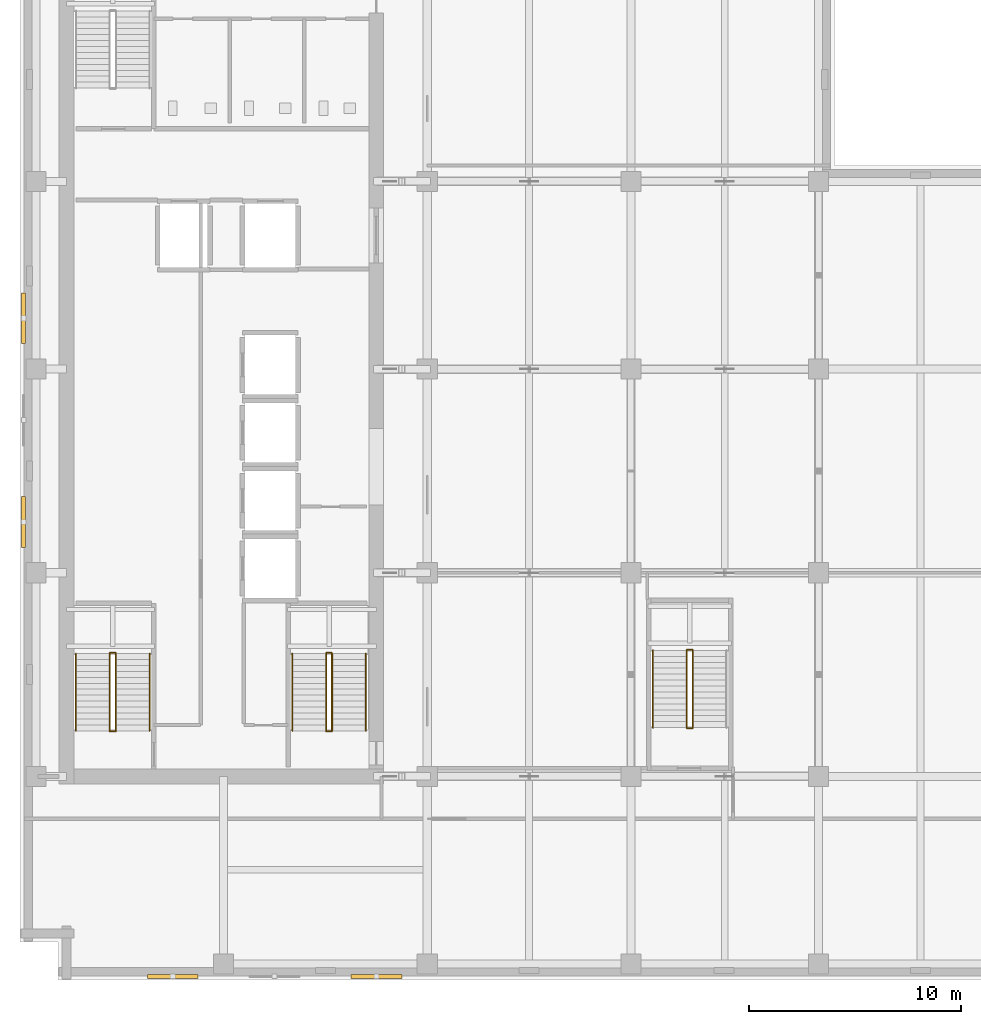
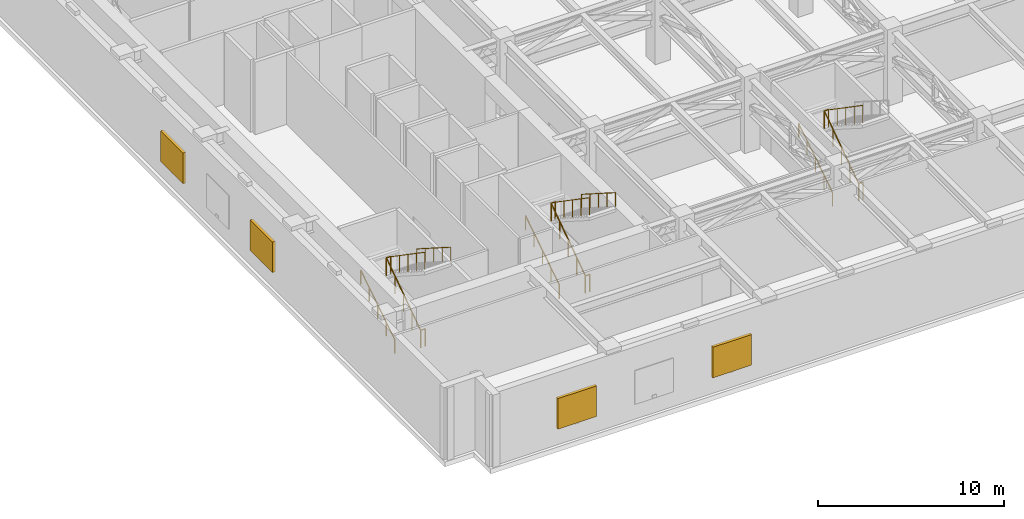
# One storey, part 18 of 21: 17 railings, 4 shading devices.
"""IFC4 building model written with IfcOpenShell, lengths in metres."""

from ifc_helpers import new_model, si_unit, direction, frame, origin, origin_2d, place, context, subcontext, project, spatial, rectangle, circle, extrude, material, layer, layer_set, type_object, element, save


model = new_model("IFC4")

# Units and contexts
model_context = context("Model", 3, precision=1e-05, world=origin(), true_north=direction((0.0, 1.0)))
body_context = subcontext(model_context, "Body", "Model", "MODEL_VIEW")
ifc_project = project(units=[si_unit("LENGTHUNIT", "METRE"), si_unit("AREAUNIT", "SQUARE_METRE"), si_unit("VOLUMEUNIT", "CUBIC_METRE"), si_unit("PLANEANGLEUNIT", "RADIAN"), si_unit("MASSUNIT", "GRAM", prefix="KILO")], contexts=[model_context])

# Site, building, storey
site_placement = place(None, origin())
site = spatial("IfcSite", under=ifc_project, at=site_placement, CompositionType="ELEMENT")
building_placement = place(site_placement, origin())
building = spatial("IfcBuilding", under=site, at=building_placement, Name="Norrvale University Quadrangle", CompositionType="ELEMENT")
storey_placement = place(building_placement, frame((0.0, 0.0, 194.0)))
storey = spatial("IfcBuildingStorey", under=building, at=storey_placement, Name="L49", CompositionType="ELEMENT", Elevation=194.0)

# Railings
ifc_material_1 = material(Name="Steel 350W Painted Balustrade", Category="steel")
railing_type_1 = type_object("IfcRailingType", Name="Railing Stair Guard 1100", PredefinedType="GUARDRAIL", material=ifc_material_1)
for number, where, name in (
    (1, (4.239990234375, 11.719970703125, 0.0), "Stair Floor Well Guard ST-01 L49"),
    (2, (4.239990234375, 15.419921875, 2.5), "Stair Mid-Landing Slot Guard ST-01 L49"),
):
    element("IfcRailing", number, at=place(storey_placement, frame(where)), inside=storey, type_object=railing_type_1, Name=name, PredefinedType="GUARDRAIL", context=body_context, shape_type="SweptSolid", body=[
        extrude(circle(Radius=0.02392578125, at=origin_2d()), frame((0.0, 0.0, 1.1259765625), z_axis=(1.0, 0.0, 0.0), x_axis=(0.0, 1.0, 0.0)), (0.0, 0.0, 1.0), 0.27001953125),
        extrude(circle(Radius=0.02099609375, at=origin_2d()), origin(), (0.0, 0.0, 1.0), 1.101806640625),
        extrude(circle(Radius=0.02099609375, at=origin_2d()), frame((0.27001953125, 0.0, 0.0)), (0.0, 0.0, 1.0), 1.101806640625),
    ])
railing_1_placement = place(storey_placement, frame((4.239990234375, 11.75, 0.0)))
element("IfcRailing", 3, at=railing_1_placement, inside=storey, type_object=railing_type_1, Name="Stair Lower Flight Inner Guard ST-01 L49", PredefinedType="GUARDRAIL", context=body_context, shape_type="SweptSolid", body=[
    extrude(circle(Radius=0.02392578125, at=origin_2d()), frame((0.0, 0.0, 1.1259765625), z_axis=(0.0, 0.824298337968, 0.566155676491), x_axis=(-1.0, 0.0, 0.0)), (0.0, 0.0, 1.0), 4.415771484375),
    extrude(circle(Radius=0.02099609375, at=origin_2d()), origin(), (0.0, 0.0, 1.0), 1.101806640625),
    extrude(circle(Radius=0.02099609375, at=origin_2d()), frame((0.0, 0.909912109375, 0.625)), (0.0, 0.0, 1.0), 1.101806640625),
    extrude(circle(Radius=0.02099609375, at=origin_2d()), frame((0.0, 1.81982421875, 1.25)), (0.0, 0.0, 1.0), 1.101806640625),
    extrude(circle(Radius=0.02099609375, at=origin_2d()), frame((0.0, 2.72998046875, 1.875)), (0.0, 0.0, 1.0), 1.101806640625),
    extrude(circle(Radius=0.02099609375, at=origin_2d()), frame((0.0, 3.639892578125, 2.5)), (0.0, 0.0, 1.0), 1.101806640625),
])
railing_2_placement = place(storey_placement, frame((4.510009765625, 15.389892578125, 2.5)))
element("IfcRailing", 4, at=railing_2_placement, inside=storey, type_object=railing_type_1, Name="Stair Upper Flight Inner Guard ST-01 L49", PredefinedType="GUARDRAIL", context=body_context, shape_type="SweptSolid", body=[
    extrude(circle(Radius=0.02392578125, at=origin_2d()), frame((0.0, 0.0, 1.1259765625), z_axis=(0.0, -0.824298337968, 0.566155676491), x_axis=(1.0, 0.0, 0.0)), (0.0, 0.0, 1.0), 4.415771484375),
    extrude(circle(Radius=0.02099609375, at=origin_2d()), origin(), (0.0, 0.0, 1.0), 1.101806640625),
    extrude(circle(Radius=0.02099609375, at=origin_2d()), frame((0.0, -0.909912109375, 0.625)), (0.0, 0.0, 1.0), 1.101806640625),
    extrude(circle(Radius=0.02099609375, at=origin_2d()), frame((0.0, -1.81982421875, 1.25)), (0.0, 0.0, 1.0), 1.101806640625),
    extrude(circle(Radius=0.02099609375, at=origin_2d()), frame((0.0, -2.72998046875, 1.875)), (0.0, 0.0, 1.0), 1.101806640625),
    extrude(circle(Radius=0.02099609375, at=origin_2d()), frame((0.0, -3.639892578125, 2.5)), (0.0, 0.0, 1.0), 1.101806640625),
])
for number, where, name in (
    (5, (14.43994140625, 11.719970703125, 0.0), "Stair Floor Well Guard ST-03 L49"),
    (6, (14.43994140625, 15.419921875, 2.5), "Stair Mid-Landing Slot Guard ST-03 L49"),
):
    element("IfcRailing", number, at=place(storey_placement, frame(where)), inside=storey, type_object=railing_type_1, Name=name, PredefinedType="GUARDRAIL", context=body_context, shape_type="SweptSolid", body=[
        extrude(circle(Radius=0.02392578125, at=origin_2d()), frame((0.0, 0.0, 1.1259765625), z_axis=(1.0, 0.0, 0.0), x_axis=(0.0, 1.0, 0.0)), (0.0, 0.0, 1.0), 0.27001953125),
        extrude(circle(Radius=0.02099609375, at=origin_2d()), origin(), (0.0, 0.0, 1.0), 1.101806640625),
        extrude(circle(Radius=0.02099609375, at=origin_2d()), frame((0.27001953125, 0.0, 0.0)), (0.0, 0.0, 1.0), 1.101806640625),
    ])
railing_3_placement = place(storey_placement, frame((14.43994140625, 11.75, 0.0)))
element("IfcRailing", 7, at=railing_3_placement, inside=storey, type_object=railing_type_1, Name="Stair Lower Flight Inner Guard ST-03 L49", PredefinedType="GUARDRAIL", context=body_context, shape_type="SweptSolid", body=[
    extrude(circle(Radius=0.02392578125, at=origin_2d()), frame((0.0, 0.0, 1.1259765625), z_axis=(0.0, 0.824298337968, 0.566155676491), x_axis=(-1.0, 0.0, 0.0)), (0.0, 0.0, 1.0), 4.415771484375),
    extrude(circle(Radius=0.02099609375, at=origin_2d()), origin(), (0.0, 0.0, 1.0), 1.101806640625),
    extrude(circle(Radius=0.02099609375, at=origin_2d()), frame((0.0, 0.909912109375, 0.625)), (0.0, 0.0, 1.0), 1.101806640625),
    extrude(circle(Radius=0.02099609375, at=origin_2d()), frame((0.0, 1.81982421875, 1.25)), (0.0, 0.0, 1.0), 1.101806640625),
    extrude(circle(Radius=0.02099609375, at=origin_2d()), frame((0.0, 2.72998046875, 1.875)), (0.0, 0.0, 1.0), 1.101806640625),
    extrude(circle(Radius=0.02099609375, at=origin_2d()), frame((0.0, 3.639892578125, 2.5)), (0.0, 0.0, 1.0), 1.101806640625),
])
railing_4_placement = place(storey_placement, frame((14.7099609375, 15.389892578125, 2.5)))
element("IfcRailing", 8, at=railing_4_placement, inside=storey, type_object=railing_type_1, Name="Stair Upper Flight Inner Guard ST-03 L49", PredefinedType="GUARDRAIL", context=body_context, shape_type="SweptSolid", body=[
    extrude(circle(Radius=0.02392578125, at=origin_2d()), frame((0.0, 0.0, 1.1259765625), z_axis=(0.0, -0.824298337968, 0.566155676491), x_axis=(1.0, 0.0, 0.0)), (0.0, 0.0, 1.0), 4.415771484375),
    extrude(circle(Radius=0.02099609375, at=origin_2d()), origin(), (0.0, 0.0, 1.0), 1.101806640625),
    extrude(circle(Radius=0.02099609375, at=origin_2d()), frame((0.0, -0.909912109375, 0.625)), (0.0, 0.0, 1.0), 1.101806640625),
    extrude(circle(Radius=0.02099609375, at=origin_2d()), frame((0.0, -1.81982421875, 1.25)), (0.0, 0.0, 1.0), 1.101806640625),
    extrude(circle(Radius=0.02099609375, at=origin_2d()), frame((0.0, -2.72998046875, 1.875)), (0.0, 0.0, 1.0), 1.101806640625),
    extrude(circle(Radius=0.02099609375, at=origin_2d()), frame((0.0, -3.639892578125, 2.5)), (0.0, 0.0, 1.0), 1.101806640625),
])
for number, where, name in (
    (9, (31.43994140625, 11.8701171875, 0.0), "Stair Floor Well Guard ST-04 L49"),
    (10, (31.43994140625, 15.570068359375, 2.5), "Stair Mid-Landing Slot Guard ST-04 L49"),
):
    element("IfcRailing", number, at=place(storey_placement, frame(where)), inside=storey, type_object=railing_type_1, Name=name, PredefinedType="GUARDRAIL", context=body_context, shape_type="SweptSolid", body=[
        extrude(circle(Radius=0.02392578125, at=origin_2d()), frame((0.0, 0.0, 1.1259765625), z_axis=(1.0, 0.0, 0.0), x_axis=(0.0, 1.0, 0.0)), (0.0, 0.0, 1.0), 0.27001953125),
        extrude(circle(Radius=0.02099609375, at=origin_2d()), origin(), (0.0, 0.0, 1.0), 1.101806640625),
        extrude(circle(Radius=0.02099609375, at=origin_2d()), frame((0.27001953125, 0.0, 0.0)), (0.0, 0.0, 1.0), 1.101806640625),
    ])
railing_5_placement = place(storey_placement, frame((31.43994140625, 11.89990234375, 0.0)))
element("IfcRailing", 11, at=railing_5_placement, inside=storey, type_object=railing_type_1, Name="Stair Lower Flight Inner Guard ST-04 L49", PredefinedType="GUARDRAIL", context=body_context, shape_type="SweptSolid", body=[
    extrude(circle(Radius=0.02392578125, at=origin_2d()), frame((0.0, 0.0, 1.1259765625), z_axis=(0.0, 0.824316058549, 0.566129875221), x_axis=(-1.0, 0.0, 0.0)), (0.0, 0.0, 1.0), 4.416015625),
    extrude(circle(Radius=0.02099609375, at=origin_2d()), origin(), (0.0, 0.0, 1.0), 1.101806640625),
    extrude(circle(Radius=0.02099609375, at=origin_2d()), frame((0.0, 0.91015625, 0.625)), (0.0, 0.0, 1.0), 1.101806640625),
    extrude(circle(Radius=0.02099609375, at=origin_2d()), frame((0.0, 1.820068359375, 1.25)), (0.0, 0.0, 1.0), 1.101806640625),
    extrude(circle(Radius=0.02099609375, at=origin_2d()), frame((0.0, 2.72998046875, 1.875)), (0.0, 0.0, 1.0), 1.101806640625),
    extrude(circle(Radius=0.02099609375, at=origin_2d()), frame((0.0, 3.64013671875, 2.5)), (0.0, 0.0, 1.0), 1.101806640625),
])
railing_6_placement = place(storey_placement, frame((31.7099609375, 15.5400390625, 2.5)))
element("IfcRailing", 12, at=railing_6_placement, inside=storey, type_object=railing_type_1, Name="Stair Upper Flight Inner Guard ST-04 L49", PredefinedType="GUARDRAIL", context=body_context, shape_type="SweptSolid", body=[
    extrude(circle(Radius=0.02392578125, at=origin_2d()), frame((0.0, 0.0, 1.1259765625), z_axis=(0.0, -0.824316058549, 0.566129875221), x_axis=(1.0, 0.0, 0.0)), (0.0, 0.0, 1.0), 4.416015625),
    extrude(circle(Radius=0.02099609375, at=origin_2d()), origin(), (0.0, 0.0, 1.0), 1.101806640625),
    extrude(circle(Radius=0.02099609375, at=origin_2d()), frame((0.0, -0.91015625, 0.625)), (0.0, 0.0, 1.0), 1.101806640625),
    extrude(circle(Radius=0.02099609375, at=origin_2d()), frame((0.0, -1.820068359375, 1.25)), (0.0, 0.0, 1.0), 1.101806640625),
    extrude(circle(Radius=0.02099609375, at=origin_2d()), frame((0.0, -2.72998046875, 1.875)), (0.0, 0.0, 1.0), 1.101806640625),
    extrude(circle(Radius=0.02099609375, at=origin_2d()), frame((0.0, -3.64013671875, 2.5)), (0.0, 0.0, 1.0), 1.101806640625),
])
ifc_material_2 = material(Name="Stainless Steel 316L Handrail", Category="steel")
railing_type_2 = type_object("IfcRailingType", Name="Railing Stair Handrail 920", PredefinedType="HANDRAIL", material=ifc_material_2)
railing_7_placement = place(storey_placement, frame((2.639892578125, 11.75, 0.1787109375)))
element("IfcRailing", 13, at=railing_7_placement, inside=storey, type_object=railing_type_2, Name="Stair Lower Flight Handrail ST-01 L49", PredefinedType="HANDRAIL", context=body_context, shape_type="SweptSolid", body=[
    extrude(circle(Radius=0.02392578125, at=origin_2d()), frame((0.0, 0.0, 0.89599609375), z_axis=(0.0, 0.843137146238, 0.537698570422), x_axis=(-1.0, 0.0, 0.0)), (0.0, 0.0, 1.0), 4.317138671875),
    extrude(circle(Radius=0.02099609375, at=origin_2d()), origin(), (0.0, 0.0, 1.0), 0.871826171875),
    extrude(circle(Radius=0.02099609375, at=origin_2d()), frame((0.0, 0.909912109375, 0.580322265625)), (0.0, 0.0, 1.0), 0.871826171875),
    extrude(circle(Radius=0.02099609375, at=origin_2d()), frame((0.0, 1.81982421875, 1.16064453125)), (0.0, 0.0, 1.0), 0.871826171875),
    extrude(circle(Radius=0.02099609375, at=origin_2d()), frame((0.0, 2.72998046875, 1.740966796875)), (0.0, 0.0, 1.0), 0.871826171875),
    extrude(circle(Radius=0.02099609375, at=origin_2d()), frame((0.0, 3.639892578125, 2.3212890625)), (0.0, 0.0, 1.0), 0.871826171875),
])
railing_8_placement = place(storey_placement, frame((6.110107421875, 15.389892578125, 2.6787109375)))
element("IfcRailing", 14, at=railing_8_placement, inside=storey, type_object=railing_type_2, Name="Stair Upper Flight Handrail ST-01 L49", PredefinedType="HANDRAIL", context=body_context, shape_type="SweptSolid", body=[
    extrude(circle(Radius=0.02392578125, at=origin_2d()), frame((0.0, 0.0, 0.89599609375), z_axis=(0.0, -0.843137146238, 0.537698570422), x_axis=(1.0, 0.0, 0.0)), (0.0, 0.0, 1.0), 4.317138671875),
    extrude(circle(Radius=0.02099609375, at=origin_2d()), origin(), (0.0, 0.0, 1.0), 0.871826171875),
    extrude(circle(Radius=0.02099609375, at=origin_2d()), frame((0.0, -0.909912109375, 0.580322265625)), (0.0, 0.0, 1.0), 0.871826171875),
    extrude(circle(Radius=0.02099609375, at=origin_2d()), frame((0.0, -1.81982421875, 1.16064453125)), (0.0, 0.0, 1.0), 0.871826171875),
    extrude(circle(Radius=0.02099609375, at=origin_2d()), frame((0.0, -2.72998046875, 1.740966796875)), (0.0, 0.0, 1.0), 0.871826171875),
    extrude(circle(Radius=0.02099609375, at=origin_2d()), frame((0.0, -3.639892578125, 2.3212890625)), (0.0, 0.0, 1.0), 0.871826171875),
])
railing_9_placement = place(storey_placement, frame((12.840087890625, 11.75, 0.1787109375)))
element("IfcRailing", 15, at=railing_9_placement, inside=storey, type_object=railing_type_2, Name="Stair Lower Flight Handrail ST-03 L49", PredefinedType="HANDRAIL", context=body_context, shape_type="SweptSolid", body=[
    extrude(circle(Radius=0.02392578125, at=origin_2d()), frame((0.0, 0.0, 0.89599609375), z_axis=(0.0, 0.843137146238, 0.537698570422), x_axis=(-1.0, 0.0, 0.0)), (0.0, 0.0, 1.0), 4.317138671875),
    extrude(circle(Radius=0.02099609375, at=origin_2d()), origin(), (0.0, 0.0, 1.0), 0.871826171875),
    extrude(circle(Radius=0.02099609375, at=origin_2d()), frame((0.0, 0.909912109375, 0.580322265625)), (0.0, 0.0, 1.0), 0.871826171875),
    extrude(circle(Radius=0.02099609375, at=origin_2d()), frame((0.0, 1.81982421875, 1.16064453125)), (0.0, 0.0, 1.0), 0.871826171875),
    extrude(circle(Radius=0.02099609375, at=origin_2d()), frame((0.0, 2.72998046875, 1.740966796875)), (0.0, 0.0, 1.0), 0.871826171875),
    extrude(circle(Radius=0.02099609375, at=origin_2d()), frame((0.0, 3.639892578125, 2.3212890625)), (0.0, 0.0, 1.0), 0.871826171875),
])
railing_10_placement = place(storey_placement, frame((16.31005859375, 15.389892578125, 2.6787109375)))
element("IfcRailing", 16, at=railing_10_placement, inside=storey, type_object=railing_type_2, Name="Stair Upper Flight Handrail ST-03 L49", PredefinedType="HANDRAIL", context=body_context, shape_type="SweptSolid", body=[
    extrude(circle(Radius=0.02392578125, at=origin_2d()), frame((0.0, 0.0, 0.89599609375), z_axis=(0.0, -0.843137146238, 0.537698570422), x_axis=(1.0, 0.0, 0.0)), (0.0, 0.0, 1.0), 4.317138671875),
    extrude(circle(Radius=0.02099609375, at=origin_2d()), origin(), (0.0, 0.0, 1.0), 0.871826171875),
    extrude(circle(Radius=0.02099609375, at=origin_2d()), frame((0.0, -0.909912109375, 0.580322265625)), (0.0, 0.0, 1.0), 0.871826171875),
    extrude(circle(Radius=0.02099609375, at=origin_2d()), frame((0.0, -1.81982421875, 1.16064453125)), (0.0, 0.0, 1.0), 0.871826171875),
    extrude(circle(Radius=0.02099609375, at=origin_2d()), frame((0.0, -2.72998046875, 1.740966796875)), (0.0, 0.0, 1.0), 0.871826171875),
    extrude(circle(Radius=0.02099609375, at=origin_2d()), frame((0.0, -3.639892578125, 2.3212890625)), (0.0, 0.0, 1.0), 0.871826171875),
])
railing_11_placement = place(storey_placement, frame((29.840087890625, 11.89990234375, 0.1787109375)))
element("IfcRailing", 17, at=railing_11_placement, inside=storey, type_object=railing_type_2, Name="Stair Lower Flight Handrail ST-04 L49", PredefinedType="HANDRAIL", context=body_context, shape_type="SweptSolid", body=[
    extrude(circle(Radius=0.02392578125, at=origin_2d()), frame((0.0, 0.0, 0.89599609375), z_axis=(0.0, 0.843153495434, 0.537672933239), x_axis=(-1.0, 0.0, 0.0)), (0.0, 0.0, 1.0), 4.3173828125),
    extrude(circle(Radius=0.02099609375, at=origin_2d()), origin(), (0.0, 0.0, 1.0), 0.871826171875),
    extrude(circle(Radius=0.02099609375, at=origin_2d()), frame((0.0, 0.91015625, 0.580322265625)), (0.0, 0.0, 1.0), 0.871826171875),
    extrude(circle(Radius=0.02099609375, at=origin_2d()), frame((0.0, 1.820068359375, 1.16064453125)), (0.0, 0.0, 1.0), 0.871826171875),
    extrude(circle(Radius=0.02099609375, at=origin_2d()), frame((0.0, 2.72998046875, 1.740966796875)), (0.0, 0.0, 1.0), 0.871826171875),
    extrude(circle(Radius=0.02099609375, at=origin_2d()), frame((0.0, 3.64013671875, 2.3212890625)), (0.0, 0.0, 1.0), 0.871826171875),
])

# Shading devices
ifc_material_3 = material(Name="Anodized Aluminium 6063-T6", Category="aluminium")
ifc_layer = layer(ifc_material_3, 0.179931640625, Name="Anodized Aluminium 6063-T6")
ifc_layer_set = layer_set([ifc_layer], Name="Anodized Aluminium 6063-T6")
shading_device_type = type_object("IfcShadingDeviceType", Name="Shade Louvre 180", PredefinedType="JALOUSIE", material=ifc_layer_set)
for number, where, z_axis, x_axis, name in (
    (18, (7.199951171875, 0.159912109375, 1.10009765625), (0.0, 0.0, 1.0), (1.0, 0.0, 0.0), "Plant Intake Weather Louvre 008"),
    (19, (16.800048828125, 0.159912109375, 1.10009765625), (0.0, 0.0, 1.0), (1.0, 0.0, 0.0), "Plant Intake Weather Louvre 009"),
    (20, (0.159912109375, 31.199951171875, 1.10009765625), (0.0, 0.0, 1.0), (0.0, -1.0, 0.0), "Plant Intake Weather Louvre 013"),
    (21, (0.159912109375, 21.60009765625, 1.10009765625), (0.0, 0.0, 1.0), (0.0, -1.0, 0.0), "Plant Intake Weather Louvre 014"),
):
    element("IfcShadingDevice", number, at=place(storey_placement, frame(where, z_axis=z_axis, x_axis=x_axis)), inside=storey, type_object=shading_device_type, Name=name, PredefinedType="JALOUSIE", context=body_context, shape_type="SweptSolid", body=[
        extrude(rectangle(XDim=2.39990234375, YDim=0.179931640625, at=origin_2d()), origin(), (0.0, 0.0, 1.0), 2.0),
    ])

save(model, "model.ifc")
